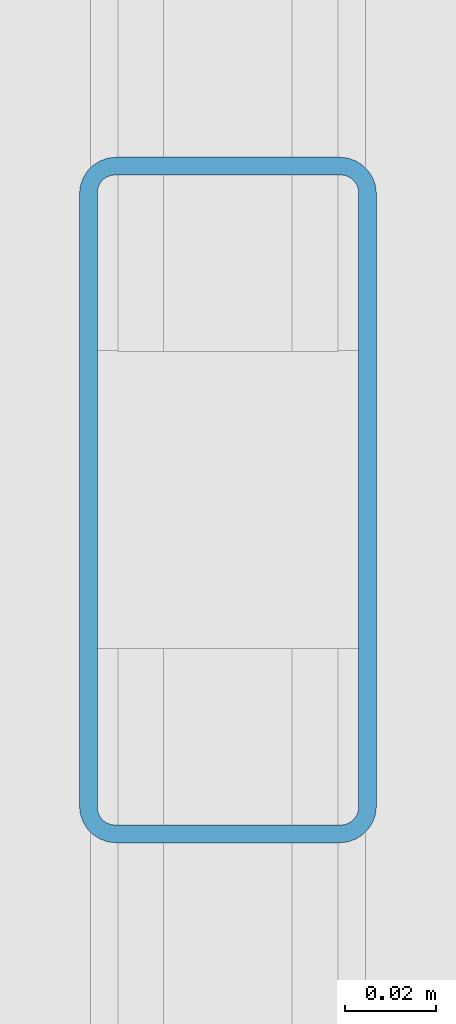
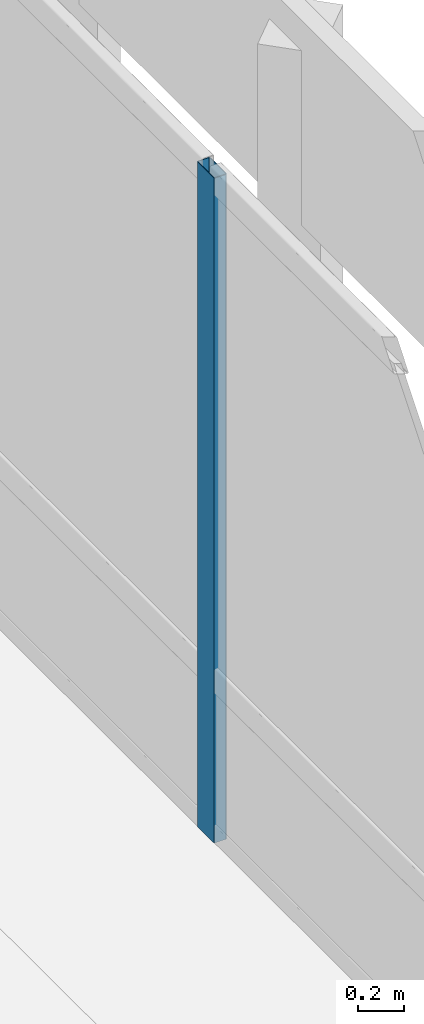
# One storey, part 84 of 158: 1 member, 1 element without a shape of its own.
"""IFC4 building model written with IfcOpenShell, lengths in metres."""

import ifcopenshell
import ifcopenshell.guid

model = None  # the IFC model being written
_history = None  # IfcOwnerHistory: only IFC2X3 demands one
_inside = {}  # id of a spatial element -> (the spatial element, [elements in it])
_under = {}  # id of a project, library or spatial element -> (it, [spatial elements below it])
_declared = {}  # id of a project -> (the project, [libraries it declares])
_typed = {}  # id of a type object -> (the type object, [elements of that type])
_made_of = {}  # id of a material, layer set ... -> (it, [elements and type objects made of it])


def new_model(schema):
    """Start an empty IFC model of exactly this schema.

    Asked for "IFC4X3", IfcOpenShell would pick the latest addendum, in which some entities
    have other attributes; the version numbers below select the first issue.
    IFC2X3 requires an IfcOwnerHistory on every rooted entity: one is made here for all.
    """
    global model, _history
    if schema == "IFC4X3":
        model = ifcopenshell.file(schema_version=(4, 3, 0, 0))
    else:
        model = ifcopenshell.file(schema=schema)
    _inside.clear()
    _under.clear()
    _declared.clear()
    _typed.clear()
    _made_of.clear()
    _history = None
    if model.schema == "IFC2X3":
        org = make("IfcOrganization", Name="unknown")
        user = make(
            "IfcPersonAndOrganization",
            ThePerson=make("IfcPerson", FamilyName="unknown"),
            TheOrganization=org,
        )
        app = make(
            "IfcApplication",
            ApplicationDeveloper=org,
            Version="unknown",
            ApplicationFullName="unknown",
            ApplicationIdentifier="unknown",
        )
        _history = make(
            "IfcOwnerHistory",
            OwningUser=user,
            OwningApplication=app,
            ChangeAction="ADDED",
            CreationDate=0,
        )
    return model


def make(cls, **values):
    """One entity of the class cls with the attributes given. An attribute that is None is left unset."""
    return model.create_entity(
        cls, **{name: value for name, value in values.items() if value is not None}
    )


def rooted(cls, **values):
    """An entity with a GlobalId (a new one), such as an element, a storey or a relation."""
    return make(cls, GlobalId=ifcopenshell.guid.new(), OwnerHistory=_history, **values)


def si_unit(unit_type, name, prefix=None):
    """IfcSIUnit, for example si_unit("LENGTHUNIT", "METRE", prefix="MILLI")."""
    return make("IfcSIUnit", UnitType=unit_type, Prefix=prefix, Name=name)


def assignment(units):
    """IfcUnitAssignment: the units of a project."""
    return None if units is None else make("IfcUnitAssignment", Units=units)


def point(xyz):
    """IfcCartesianPoint."""
    return None if xyz is None else make("IfcCartesianPoint", Coordinates=xyz)


def direction(xyz):
    """IfcDirection."""
    return None if xyz is None else make("IfcDirection", DirectionRatios=xyz)


def frame(location, z_axis=None, x_axis=None):
    """IfcAxis2Placement3D, a coordinate frame: its origin and axes. An axis left out is left unset."""
    return make(
        "IfcAxis2Placement3D",
        Location=point(location),
        Axis=direction(z_axis),
        RefDirection=direction(x_axis),
    )


def frame_2d(location, x_axis=None):
    """IfcAxis2Placement2D, a coordinate frame in the plane: its origin and x axis."""
    return make(
        "IfcAxis2Placement2D", Location=point(location), RefDirection=direction(x_axis)
    )


def origin():
    """The frame at (0, 0, 0) with its axes left unset."""
    return frame((0.0, 0.0, 0.0))


def origin_2d():
    """The frame at (0, 0) in the plane with its x axis left unset."""
    return frame_2d((0.0, 0.0))


def place(relative_to, where):
    """IfcLocalPlacement: puts the frame where relative to a parent placement (None: the world)."""
    return make(
        "IfcLocalPlacement", PlacementRelTo=relative_to, RelativePlacement=where
    )


def context(
    kind, dimensions, precision=None, world=None, true_north=None, identifier=None
):
    """IfcGeometricRepresentationContext, for example the 3D "Model" context."""
    return make(
        "IfcGeometricRepresentationContext",
        ContextIdentifier=identifier,
        ContextType=kind,
        CoordinateSpaceDimension=dimensions,
        Precision=precision,
        WorldCoordinateSystem=world,
        TrueNorth=true_north,
    )


def subcontext(parent, identifier, kind, view, scale=None):
    """IfcGeometricRepresentationSubContext, for example "Body" below "Model"."""
    return make(
        "IfcGeometricRepresentationSubContext",
        ContextIdentifier=identifier,
        ContextType=kind,
        ParentContext=parent,
        TargetScale=scale,
        TargetView=view,
    )


def project(units=None, contexts=None):
    """IfcProject with its units and contexts."""
    return rooted(
        "IfcProject",
        Name="project",
        RepresentationContexts=contexts,
        UnitsInContext=assignment(units),
    )


def spatial(cls, under=None, at=None, **own):
    """A site, building, storey or space (cls), placed at a placement, below another one or the project."""
    s = rooted(cls, ObjectPlacement=at, **own)
    if under is not None:
        _under.setdefault(under.id(), (under, []))[1].append(s)
    return s


def profile(cls, at=None, kind="AREA", **sizes):
    """A parametric profile (cls). Its sizes go by their IFC names, for example OverallWidth=200.0."""
    return make(cls, ProfileType=kind, Position=at, **sizes)


def hollow_rectangle(**sizes):
    """IfcRectangleHollowProfileDef."""
    return profile("IfcRectangleHollowProfileDef", **sizes)


def extrude(swept, where, along, depth):
    """IfcExtrudedAreaSolid: the profile swept, set in the frame where, extruded along a direction by depth."""
    return make(
        "IfcExtrudedAreaSolid",
        SweptArea=swept,
        Position=where,
        ExtrudedDirection=direction(along),
        Depth=depth,
    )


def shape(context_of_items, identifier, shape_type, items):
    """IfcShapeRepresentation: the items that make up one representation, for example the "Body"."""
    return make(
        "IfcShapeRepresentation",
        ContextOfItems=context_of_items,
        RepresentationIdentifier=identifier,
        RepresentationType=shape_type,
        Items=items,
    )


def material(Name=None, Category=None):
    """IfcMaterial."""
    return make("IfcMaterial", Name=Name, Category=Category)


def material_profile(
    of_material, cross_section, Name=None, Category=None, Priority=None
):
    """IfcMaterialProfile: a cross section and its material."""
    return make(
        "IfcMaterialProfile",
        Name=Name,
        Material=of_material,
        Profile=cross_section,
        Priority=Priority,
        Category=Category,
    )


def profile_set(profiles, Name=None, composite=None):
    """IfcMaterialProfileSet."""
    return make(
        "IfcMaterialProfileSet",
        Name=Name,
        MaterialProfiles=profiles,
        CompositeProfile=composite,
    )


def made_of(thing, what):
    """Note that an element or type object is made of a material, layer set ...; save() writes the relation."""
    if what is not None:
        _made_of.setdefault(what.id(), (what, []))[1].append(thing)
    return thing


def type_object(cls, material=None, **own):
    """A type object (cls), such as IfcWallType, which elements share."""
    return made_of(rooted(cls, **own), material)


def element(
    cls,
    number,
    at=None,
    inside=None,
    cuts=None,
    type_object=None,
    material=None,
    context=None,
    identifier="Body",
    shape_type=None,
    held_by="IfcProductDefinitionShape",
    body=None,
    shapes=None,
    **own,
):
    """One element of the class cls, such as IfcWall. Its Tag is "e" and its number.

    at: its placement. inside: the storey or other place that contains it. cuts: it is an
    opening in that element (IfcRelVoidsElement). A single representation is given by context,
    identifier, shape_type and body (its items); several are given by shapes. held_by: the class
    of the entity that holds the representations. save() writes the other relations.
    """
    e = rooted(cls, Tag="e%d" % number, ObjectPlacement=at, **own)
    if body is not None:
        shapes = [shape(context, identifier, shape_type, body)]
    if shapes is not None:
        e.Representation = make(held_by, Representations=shapes)
    if inside is not None:
        _inside.setdefault(inside.id(), (inside, []))[1].append(e)
    if cuts is not None:
        rooted(
            "IfcRelVoidsElement", RelatingBuildingElement=cuts, RelatedOpeningElement=e
        )
    if type_object is not None:
        _typed.setdefault(type_object.id(), (type_object, []))[1].append(e)
    return made_of(e, material)


def aggregate(whole, parts):
    """IfcRelAggregates: a whole, such as a stair, and the parts it consists of."""
    return rooted("IfcRelAggregates", RelatingObject=whole, RelatedObjects=parts)


def save(model, path):
    """Write the relations noted so far, then the file.

    IfcRelAggregates (storeys below a building ...), IfcRelContainedInSpatialStructure (elements
    in a storey), IfcRelDefinesByType, IfcRelAssociatesMaterial and IfcRelDeclares: one each for
    every whole, place, type object, material and project.
    """
    for whole, parts in _under.values():
        aggregate(whole, parts)
    for where, things in _inside.values():
        rooted(
            "IfcRelContainedInSpatialStructure",
            RelatedElements=things,
            RelatingStructure=where,
        )
    for kind, things in _typed.values():
        rooted("IfcRelDefinesByType", RelatedObjects=things, RelatingType=kind)
    for what, things in _made_of.values():
        rooted("IfcRelAssociatesMaterial", RelatedObjects=things, RelatingMaterial=what)
    for by, libraries in _declared.values():
        rooted("IfcRelDeclares", RelatingContext=by, RelatedDefinitions=libraries)
    model.write(path)


model = new_model("IFC4")

# Units and contexts
model_context = context("Model", 3, precision=1e-05, world=origin(), true_north=direction((0.0, 1.0)))
body_context = subcontext(model_context, "Body", "Model", "MODEL_VIEW")
ifc_project = project(units=[si_unit("LENGTHUNIT", "METRE"), si_unit("AREAUNIT", "SQUARE_METRE"), si_unit("VOLUMEUNIT", "CUBIC_METRE"), si_unit("PLANEANGLEUNIT", "RADIAN"), si_unit("MASSUNIT", "GRAM", prefix="KILO")], contexts=[model_context])

# Site, building, storey
site_placement = place(None, origin())
site = spatial("IfcSite", under=ifc_project, at=site_placement, CompositionType="ELEMENT")
building_placement = place(site_placement, origin())
building = spatial("IfcBuilding", under=site, at=building_placement, Name="Lusvemor Sports Hall", CompositionType="ELEMENT")
storey_placement = place(building_placement, frame((0.0, 0.0, 10.800048828125)))
storey = spatial("IfcBuildingStorey", under=building, at=storey_placement, Name="L02", CompositionType="ELEMENT", Elevation=10.800048828125)

# Curtain wall, member
ifc_material_1 = material(Name="Thermally broken bronze-anodized aluminium", Category="aluminium")
curtain_wall_type = type_object("IfcCurtainWallType", Name="CW_COURT_C", PredefinedType="NOTDEFINED", material=ifc_material_1)
curtain_wall_placement = place(storey_placement, origin())
curtain_wall = element("IfcCurtainWall", 1, at=curtain_wall_placement, inside=storey, type_object=curtain_wall_type, Name="Curtain Wall CW-V2E-L02-2", PredefinedType="NOTDEFINED")
ifc_material_2 = material(Name="Thermally broken bronze-anodized aluminium", Category="aluminium")
ifc_material_profile = material_profile(ifc_material_2, hollow_rectangle(XDim=0.06494140625, YDim=0.14990234375, WallThickness=0.00390625, InnerFilletRadius=0.00390625, OuterFilletRadius=0.008056640625, at=origin_2d()), Name="CWMUL150x65x4")
ifc_profile_set = profile_set([ifc_material_profile], Name="Thermally broken bronze-anodized aluminium")
member_type = type_object("IfcMemberType", Name="CW_MUL_B", PredefinedType="MULLION", material=ifc_profile_set)
member_placement = place(storey_placement, frame((169.199951171875, 23.39990234375, 0.0), z_axis=(0.0, 0.0, 1.0), x_axis=(1.0, 0.0, 0.0)))
member = element("IfcMember", 2, at=member_placement, type_object=member_type, Name="CW03 mullion 3", PredefinedType="MULLION", context=body_context, shape_type="SweptSolid", body=[
    extrude(hollow_rectangle(XDim=0.06494140625, YDim=0.14990234375, WallThickness=0.00390625, InnerFilletRadius=0.00390625, OuterFilletRadius=0.008056640625, at=origin_2d()), origin(), (0.0, 0.0, 1.0), 3.5),
])
aggregate(curtain_wall, [member])

save(model, "model.ifc")
